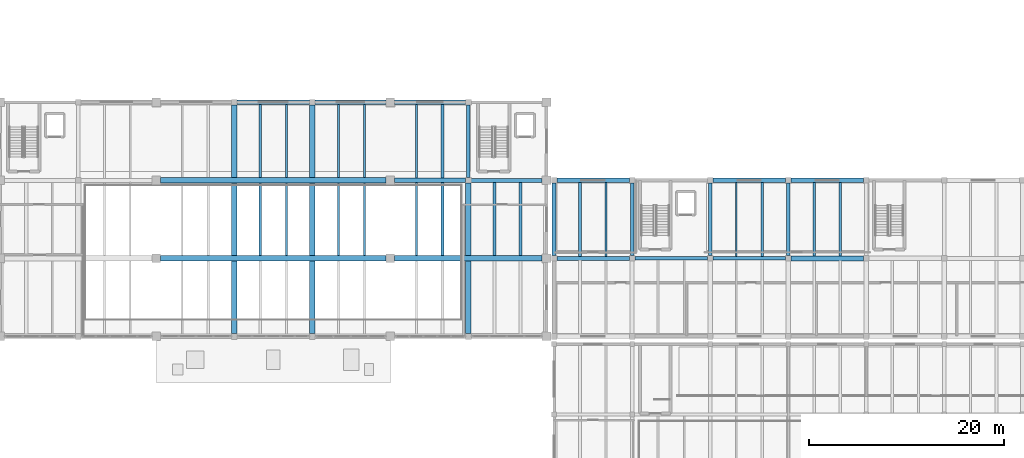
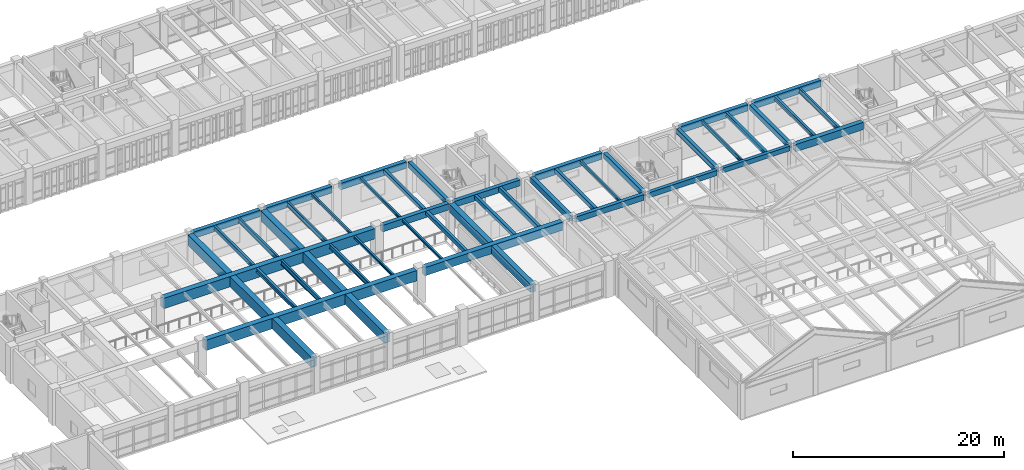
# One storey, part 15 of 67: 43 beams.
"""IFC4 building model written with IfcOpenShell, lengths in metres."""

from ifc_helpers import new_model, si_unit, direction, frame, origin, origin_2d, place, context, subcontext, project, spatial, rectangle, i_section, extrude, material, material_profile, profile_set, type_object, element, save


model = new_model("IFC4")

# Units and contexts
model_context = context("Model", 3, precision=1e-05, world=origin(), true_north=direction((0.0, 1.0)))
body_context = subcontext(model_context, "Body", "Model", "MODEL_VIEW")
ifc_project = project(units=[si_unit("LENGTHUNIT", "METRE"), si_unit("AREAUNIT", "SQUARE_METRE"), si_unit("VOLUMEUNIT", "CUBIC_METRE"), si_unit("PLANEANGLEUNIT", "RADIAN"), si_unit("MASSUNIT", "GRAM", prefix="KILO")], contexts=[model_context])

# Site, building, storey
site_placement = place(None, origin())
site = spatial("IfcSite", under=ifc_project, at=site_placement, CompositionType="ELEMENT")
building_placement = place(site_placement, origin())
building = spatial("IfcBuilding", under=site, at=building_placement, Name="Tlaxcora Railside Police Headquarters", CompositionType="ELEMENT")
storey_placement = place(building_placement, frame((0.0, 0.0, 4.800048828125)))
storey = spatial("IfcBuildingStorey", under=building, at=storey_placement, Name="L01", CompositionType="ELEMENT", Elevation=4.800048828125)

# Beams
ifc_material_1 = material(Name="Concrete C40/50", Category="concrete")
ifc_material_profile_1 = material_profile(ifc_material_1, rectangle(XDim=0.39990234375, YDim=0.64990234375, at=origin_2d()), Name="RC400X650")
ifc_profile_set_1 = profile_set([ifc_material_profile_1], Name="Concrete C40/50")
beam_type_1 = type_object("IfcBeamType", Name="Perimeter Spandrel Beam BM-46", PredefinedType="SPANDREL", material=ifc_profile_set_1)
beam_1_placement = place(storey_placement, frame((102.800048828125, 44.2900390625, 3.5849609375), z_axis=(0.0, 1.0, 0.0), x_axis=(-1.0, 0.0, 0.0)))
element("IfcBeam", 1, at=beam_1_placement, inside=storey, type_object=beam_type_1, Name="V7 L01 Y-girder X=102.8", PredefinedType="SPANDREL", context=body_context, shape_type="SweptSolid", body=[
    extrude(rectangle(XDim=0.39990234375, YDim=0.64990234375, at=origin_2d()), origin(), (0.0, 0.0, 1.0), 7.419921875),
])
ifc_material_profile_2 = material_profile(ifc_material_1, rectangle(XDim=0.449951171875, YDim=0.75, at=origin_2d()), Name="RC450X750")
ifc_profile_set_2 = profile_set([ifc_material_profile_2], Name="Concrete C40/50")
beam_type_2 = type_object("IfcBeamType", Name="Perimeter Spandrel Beam BM-86", PredefinedType="SPANDREL", material=ifc_profile_set_2)
beam_2_placement = place(storey_placement, frame((70.2900390625, 60.0, 3.534912109375), z_axis=(1.0, 0.0, 0.0), x_axis=(0.0, 1.0, 0.0)))
element("IfcBeam", 2, at=beam_2_placement, inside=storey, type_object=beam_type_2, Name="V1 L01 X-girder Y=60.0", PredefinedType="SPANDREL", context=body_context, shape_type="SweptSolid", body=[
    extrude(rectangle(XDim=0.449951171875, YDim=0.75, at=origin_2d()), origin(), (0.0, 0.0, 1.0), 7.419921875),
])
for number, where, z_axis, x_axis, name in (
    (3, (78.2900390625, 60.0, 3.534912109375), (1.0, 0.0, 0.0), (0.0, 1.0, 0.0), "V1 L01 X-girder Y=60.0"),
    (4, (86.43994140625, 60.0, 3.534912109375), (1.0, 0.0, 0.0), (0.0, 1.0, 0.0), "V1 L01 X-girder Y=60.0"),
):
    element("IfcBeam", number, at=place(storey_placement, frame(where, z_axis=z_axis, x_axis=x_axis)), inside=storey, type_object=beam_type_2, Name=name, PredefinedType="SPANDREL", context=body_context, shape_type="SweptSolid", body=[
        extrude(rectangle(XDim=0.449951171875, YDim=0.75, at=origin_2d()), origin(), (0.0, 0.0, 1.0), 7.27001953125),
    ])
for number, where, z_axis, x_axis, name in (
    (5, (103.090087890625, 52.0, 3.534912109375), (1.0, 0.0, 0.0), (0.0, 1.0, 0.0), "V7 L01 X-girder Y=52.0"),
    (6, (119.090087890625, 52.0, 3.534912109375), (1.0, 0.0, 0.0), (0.0, 1.0, 0.0), "V7 L01 X-girder Y=52.0"),
    (7, (127.090087890625, 52.0, 3.534912109375), (1.0, 0.0, 0.0), (0.0, 1.0, 0.0), "V7 L01 X-girder Y=52.0"),
):
    element("IfcBeam", number, at=place(storey_placement, frame(where, z_axis=z_axis, x_axis=x_axis)), inside=storey, type_object=beam_type_2, Name=name, PredefinedType="SPANDREL", context=body_context, shape_type="SweptSolid", body=[
        extrude(rectangle(XDim=0.449951171875, YDim=0.75, at=origin_2d()), origin(), (0.0, 0.0, 1.0), 7.419921875),
    ])
ifc_material_profile_3 = material_profile(ifc_material_1, rectangle(XDim=0.3798828125, YDim=0.60009765625, at=origin_2d()), Name="RC380X600")
ifc_profile_set_3 = profile_set([ifc_material_profile_3], Name="Concrete C40/50")
beam_type_3 = type_object("IfcBeamType", Name="Primary Frame Girder BM-22", PredefinedType="BEAM", material=ifc_profile_set_3)
for number, where, z_axis, x_axis, name in (
    (8, (94.0, 52.2900390625, 3.60986328125), (0.0, 1.0, 0.0), (-1.0, 0.0, 0.0), "V1 L01 Y-girder X=94.0"),
    (9, (111.090087890625, 44.0, 3.60986328125), (1.0, 0.0, 0.0), (0.0, 1.0, 0.0), "V7 L01 X-girder Y=44.0"),
    (10, (110.800048828125, 44.2900390625, 3.60986328125), (0.0, 1.0, 0.0), (-1.0, 0.0, 0.0), "V7 L01 Y-girder X=110.8"),
    (11, (118.800048828125, 44.2900390625, 3.60986328125), (0.0, 1.0, 0.0), (-1.0, 0.0, 0.0), "V7 L01 Y-girder X=118.8"),
    (12, (126.800048828125, 44.2900390625, 3.60986328125), (0.0, 1.0, 0.0), (-1.0, 0.0, 0.0), "V7 L01 Y-girder X=126.8"),
):
    element("IfcBeam", number, at=place(storey_placement, frame(where, z_axis=z_axis, x_axis=x_axis)), inside=storey, type_object=beam_type_3, Name=name, PredefinedType="BEAM", context=body_context, shape_type="SweptSolid", body=[
        extrude(rectangle(XDim=0.3798828125, YDim=0.60009765625, at=origin_2d()), origin(), (0.0, 0.0, 1.0), 7.419921875),
    ])
ifc_material_profile_4 = material_profile(ifc_material_1, rectangle(XDim=0.419921875, YDim=0.699951171875, at=origin_2d()), Name="RC420X700")
ifc_profile_set_4 = profile_set([ifc_material_profile_4], Name="Concrete C40/50")
beam_type_4 = type_object("IfcBeamType", Name="Primary Frame Girder BM-35", PredefinedType="BEAM", material=ifc_profile_set_4)
beam_3_placement = place(storey_placement, frame((94.2900390625, 52.0, 3.56005859375), z_axis=(1.0, 0.0, 0.0), x_axis=(0.0, 1.0, 0.0)))
element("IfcBeam", 13, at=beam_3_placement, inside=storey, type_object=beam_type_4, Name="V1 L01 X-girder Y=52.0", PredefinedType="BEAM", context=body_context, shape_type="SweptSolid", body=[
    extrude(rectangle(XDim=0.419921875, YDim=0.699951171875, at=origin_2d()), origin(), (0.0, 0.0, 1.0), 7.27001953125),
])
ifc_material_profile_5 = material_profile(ifc_material_1, rectangle(XDim=0.35009765625, YDim=0.550048828125, at=origin_2d()), Name="RC350X550")
ifc_profile_set_5 = profile_set([ifc_material_profile_5], Name="Concrete C40/50")
beam_type_5 = type_object("IfcBeamType", Name="Primary Frame Girder BM-39", PredefinedType="BEAM", material=ifc_profile_set_5)
beam_4_placement = place(storey_placement, frame((119.090087890625, 44.0, 3.635009765625), z_axis=(1.0, 0.0, 0.0), x_axis=(0.0, 1.0, 0.0)))
element("IfcBeam", 14, at=beam_4_placement, inside=storey, type_object=beam_type_5, Name="V7 L01 X-girder Y=44.0", PredefinedType="BEAM", context=body_context, shape_type="SweptSolid", body=[
    extrude(rectangle(XDim=0.35009765625, YDim=0.550048828125, at=origin_2d()), origin(), (0.0, 0.0, 1.0), 7.419921875),
])
ifc_material_profile_6 = material_profile(ifc_material_1, rectangle(XDim=0.39990234375, YDim=0.64990234375, at=origin_2d()), Name="RC400X650")
ifc_profile_set_6 = profile_set([ifc_material_profile_6], Name="Concrete C40/50")
beam_type_6 = type_object("IfcBeamType", Name="Primary Frame Girder BM-41", PredefinedType="BEAM", material=ifc_profile_set_6)
beam_5_placement = place(storey_placement, frame((103.090087890625, 44.0, 3.5849609375), z_axis=(1.0, 0.0, 0.0), x_axis=(0.0, 1.0, 0.0)))
element("IfcBeam", 15, at=beam_5_placement, inside=storey, type_object=beam_type_6, Name="V7 L01 X-girder Y=44.0", PredefinedType="BEAM", context=body_context, shape_type="SweptSolid", body=[
    extrude(rectangle(XDim=0.39990234375, YDim=0.64990234375, at=origin_2d()), origin(), (0.0, 0.0, 1.0), 7.419921875),
])
ifc_material_profile_7 = material_profile(ifc_material_1, rectangle(XDim=0.550048828125, YDim=0.949951171875, at=origin_2d()), Name="RC550X950")
ifc_profile_set_7 = profile_set([ifc_material_profile_7], Name="Concrete C40/50")
beam_type_7 = type_object("IfcBeamType", Name="Primary Frame Girder BM-43", PredefinedType="BEAM", material=ifc_profile_set_7)
beam_6_placement = place(storey_placement, frame((86.43994140625, 44.0, 3.43505859375), z_axis=(1.0, 0.0, 0.0), x_axis=(0.0, 1.0, 0.0)))
element("IfcBeam", 16, at=beam_6_placement, inside=storey, type_object=beam_type_7, Name="V1 L01 X-girder Y=44.0", PredefinedType="BEAM", context=body_context, shape_type="SweptSolid", body=[
    extrude(rectangle(XDim=0.550048828125, YDim=0.949951171875, at=origin_2d()), origin(), (0.0, 0.0, 1.0), 15.1201171875),
])
beam_7_placement = place(storey_placement, frame((94.0, 36.2900390625, 3.43505859375), z_axis=(0.0, 1.0, 0.0), x_axis=(-1.0, 0.0, 0.0)))
element("IfcBeam", 17, at=beam_7_placement, inside=storey, type_object=beam_type_7, Name="V1 L01 Y-girder X=94.0", PredefinedType="BEAM", context=body_context, shape_type="SweptSolid", body=[
    extrude(rectangle(XDim=0.550048828125, YDim=0.949951171875, at=origin_2d()), origin(), (0.0, 0.0, 1.0), 15.419921875),
])
ifc_material_profile_8 = material_profile(ifc_material_1, rectangle(XDim=0.5, YDim=0.85009765625, at=origin_2d()), Name="RC500X850")
ifc_profile_set_8 = profile_set([ifc_material_profile_8], Name="Concrete C40/50")
beam_type_8 = type_object("IfcBeamType", Name="Primary Frame Girder BM-64", PredefinedType="BEAM", material=ifc_profile_set_8)
beam_8_placement = place(storey_placement, frame((127.090087890625, 44.0, 3.48486328125), z_axis=(1.0, 0.0, 0.0), x_axis=(0.0, 1.0, 0.0)))
element("IfcBeam", 18, at=beam_8_placement, inside=storey, type_object=beam_type_8, Name="V7 L01 X-girder Y=44.0", PredefinedType="BEAM", context=body_context, shape_type="SweptSolid", body=[
    extrude(rectangle(XDim=0.5, YDim=0.85009765625, at=origin_2d()), origin(), (0.0, 0.0, 1.0), 7.419921875),
])
ifc_material_profile_9 = material_profile(ifc_material_1, rectangle(XDim=0.60009765625, YDim=1.199951171875, at=origin_2d()), Name="RC600X1200")
ifc_profile_set_9 = profile_set([ifc_material_profile_9], Name="Concrete C40/50")
beam_type_9 = type_object("IfcBeamType", Name="Primary Frame Girder BM-68", PredefinedType="BEAM", material=ifc_profile_set_9)
for number, where, z_axis, x_axis, name in (
    (19, (62.43994140625, 44.0, 3.31005859375), (1.0, 0.0, 0.0), (0.0, 1.0, 0.0), "V1 L01 X-girder Y=44.0"),
    (20, (62.43994140625, 52.0, 3.31005859375), (1.0, 0.0, 0.0), (0.0, 1.0, 0.0), "V1 L01 X-girder Y=52.0"),
):
    element("IfcBeam", number, at=place(storey_placement, frame(where, z_axis=z_axis, x_axis=x_axis)), inside=storey, type_object=beam_type_9, Name=name, PredefinedType="BEAM", context=body_context, shape_type="SweptSolid", body=[
        extrude(rectangle(XDim=0.60009765625, YDim=1.199951171875, at=origin_2d()), origin(), (0.0, 0.0, 1.0), 23.1201171875),
    ])
for number, where, z_axis, x_axis, name in (
    (21, (70.0, 36.2900390625, 3.31005859375), (0.0, 1.0, 0.0), (-1.0, 0.0, 0.0), "V1 L01 Y-girder X=70.0"),
    (22, (78.0, 36.2900390625, 3.31005859375), (0.0, 1.0, 0.0), (-1.0, 0.0, 0.0), "V1 L01 Y-girder X=78.0"),
):
    element("IfcBeam", number, at=place(storey_placement, frame(where, z_axis=z_axis, x_axis=x_axis)), inside=storey, type_object=beam_type_9, Name=name, PredefinedType="BEAM", context=body_context, shape_type="SweptSolid", body=[
        extrude(rectangle(XDim=0.60009765625, YDim=1.199951171875, at=origin_2d()), origin(), (0.0, 0.0, 1.0), 23.419921875),
    ])
ifc_material_profile_10 = material_profile(ifc_material_1, rectangle(XDim=0.449951171875, YDim=0.75, at=origin_2d()), Name="RC450X750")
ifc_profile_set_10 = profile_set([ifc_material_profile_10], Name="Concrete C40/50")
beam_type_10 = type_object("IfcBeamType", Name="Primary Frame Girder BM-73", PredefinedType="BEAM", material=ifc_profile_set_10)
beam_9_placement = place(storey_placement, frame((86.43994140625, 52.0, 3.534912109375), z_axis=(1.0, 0.0, 0.0), x_axis=(0.0, 1.0, 0.0)))
element("IfcBeam", 23, at=beam_9_placement, inside=storey, type_object=beam_type_10, Name="V1 L01 X-girder Y=52.0", PredefinedType="BEAM", context=body_context, shape_type="SweptSolid", body=[
    extrude(rectangle(XDim=0.449951171875, YDim=0.75, at=origin_2d()), origin(), (0.0, 0.0, 1.0), 7.27001953125),
])
ifc_material_2 = material(Name="Concrete C35/45", Category="concrete")
ifc_material_profile_11 = material_profile(ifc_material_2, rectangle(XDim=0.300048828125, YDim=0.449951171875, at=origin_2d()), Name="RC300X450")
ifc_profile_set_11 = profile_set([ifc_material_profile_11], Name="Concrete C35/45")
beam_type_11 = type_object("IfcBeamType", Name="Secondary Floor Joist BM-27", PredefinedType="JOIST", material=ifc_profile_set_11)
beam_10_placement = place(storey_placement, frame((91.333251953125, 44.26708984375, 3.68505859375), z_axis=(0.0, 1.0, 0.0), x_axis=(-1.0, 0.0, 0.0)))
element("IfcBeam", 24, at=beam_10_placement, inside=storey, type_object=beam_type_11, Name="V1 L01 floor joist X=91.33", PredefinedType="JOIST", context=body_context, shape_type="SweptSolid", body=[
    extrude(rectangle(XDim=0.300048828125, YDim=0.449951171875, at=origin_2d()), origin(), (0.0, 0.0, 1.0), 7.515869140625),
])
beam_11_placement = place(storey_placement, frame((96.666748046875, 44.26708984375, 3.68505859375), z_axis=(0.0, 1.0, 0.0), x_axis=(-1.0, 0.0, 0.0)))
element("IfcBeam", 25, at=beam_11_placement, inside=storey, type_object=beam_type_11, Name="V1 L01 floor joist X=96.67", PredefinedType="JOIST", context=body_context, shape_type="SweptSolid", body=[
    extrude(rectangle(XDim=0.300048828125, YDim=0.449951171875, at=origin_2d()), origin(), (0.0, 0.0, 1.0), 7.531005859375),
])
beam_12_placement = place(storey_placement, frame((91.333251953125, 52.217041015625, 3.68505859375), z_axis=(0.0, 1.0, 0.0), x_axis=(-1.0, 0.0, 0.0)))
element("IfcBeam", 26, at=beam_12_placement, inside=storey, type_object=beam_type_11, Name="V1 L01 floor joist X=91.33", PredefinedType="JOIST", context=body_context, shape_type="SweptSolid", body=[
    extrude(rectangle(XDim=0.300048828125, YDim=0.449951171875, at=origin_2d()), origin(), (0.0, 0.0, 1.0), 7.56591796875),
])
ifc_material_3 = material(Name="Steel ASTM A992 Grade 50", Category="steel")
ifc_material_profile_12 = material_profile(ifc_material_3, i_section(OverallWidth=0.280029296875, OverallDepth=0.4619140625, WebThickness=0.0107421875, FlangeThickness=0.017333984375, at=origin_2d()), Name="W18X76")
ifc_profile_set_12 = profile_set([ifc_material_profile_12], Name="Steel ASTM A992 Grade 50")
beam_type_12 = type_object("IfcBeamType", Name="Secondary Floor Joist BM-44", PredefinedType="JOIST", material=ifc_profile_set_12)
beam_13_placement = place(storey_placement, frame((72.666748046875, 44.2919921875, 3.678955078125), z_axis=(0.0, 1.0, 0.0), x_axis=(-1.0, 0.0, 0.0)))
element("IfcBeam", 27, at=beam_13_placement, inside=storey, type_object=beam_type_12, Name="V1 L01 floor joist X=72.67", PredefinedType="JOIST", context=body_context, shape_type="SweptSolid", body=[
    extrude(i_section(OverallWidth=0.280029296875, OverallDepth=0.4619140625, WebThickness=0.0107421875, FlangeThickness=0.017333984375, at=origin_2d()), origin(), (0.0, 0.0, 1.0), 7.416015625),
])
beam_14_placement = place(storey_placement, frame((72.666748046875, 52.2919921875, 3.678955078125), z_axis=(0.0, 1.0, 0.0), x_axis=(-1.0, 0.0, 0.0)))
element("IfcBeam", 28, at=beam_14_placement, inside=storey, type_object=beam_type_12, Name="V1 L01 floor joist X=72.67", PredefinedType="JOIST", context=body_context, shape_type="SweptSolid", body=[
    extrude(i_section(OverallWidth=0.280029296875, OverallDepth=0.4619140625, WebThickness=0.0107421875, FlangeThickness=0.017333984375, at=origin_2d()), origin(), (0.0, 0.0, 1.0), 7.490966796875),
])
beam_15_placement = place(storey_placement, frame((124.13330078125, 44.1669921875, 3.678955078125), z_axis=(0.0, 1.0, 0.0), x_axis=(-1.0, 0.0, 0.0)))
element("IfcBeam", 29, at=beam_15_placement, inside=storey, type_object=beam_type_12, Name="V7 L01 floor joist X=124.13", PredefinedType="JOIST", context=body_context, shape_type="SweptSolid", body=[
    extrude(i_section(OverallWidth=0.280029296875, OverallDepth=0.4619140625, WebThickness=0.0107421875, FlangeThickness=0.017333984375, at=origin_2d()), origin(), (0.0, 0.0, 1.0), 7.615966796875),
])
beam_16_placement = place(storey_placement, frame((129.466796875, 44.241943359375, 3.678955078125), z_axis=(0.0, 1.0, 0.0), x_axis=(-1.0, 0.0, 0.0)))
element("IfcBeam", 30, at=beam_16_placement, inside=storey, type_object=beam_type_12, Name="V7 L01 floor joist X=129.47", PredefinedType="JOIST", context=body_context, shape_type="SweptSolid", body=[
    extrude(i_section(OverallWidth=0.280029296875, OverallDepth=0.4619140625, WebThickness=0.0107421875, FlangeThickness=0.017333984375, at=origin_2d()), origin(), (0.0, 0.0, 1.0), 7.541015625),
])
ifc_material_profile_13 = material_profile(ifc_material_3, i_section(OverallWidth=0.2041015625, OverallDepth=0.35009765625, WebThickness=0.008544921875, FlangeThickness=0.01513671875, at=origin_2d()), Name="W14X48")
ifc_profile_set_13 = profile_set([ifc_material_profile_13], Name="Steel ASTM A992 Grade 50")
beam_type_13 = type_object("IfcBeamType", Name="Secondary Floor Joist BM-65", PredefinedType="JOIST", material=ifc_profile_set_13)
beam_17_placement = place(storey_placement, frame((108.13330078125, 44.19189453125, 3.73486328125), z_axis=(0.0, 1.0, 0.0), x_axis=(-1.0, 0.0, 0.0)))
element("IfcBeam", 31, at=beam_17_placement, inside=storey, type_object=beam_type_13, Name="V7 L01 floor joist X=108.13", PredefinedType="JOIST", context=body_context, shape_type="SweptSolid", body=[
    extrude(i_section(OverallWidth=0.2041015625, OverallDepth=0.35009765625, WebThickness=0.008544921875, FlangeThickness=0.01513671875, at=origin_2d()), origin(), (0.0, 0.0, 1.0), 7.591064453125),
])
ifc_material_profile_14 = material_profile(ifc_material_3, i_section(OverallWidth=0.180908203125, OverallDepth=0.4169921875, WebThickness=0.010009765625, FlangeThickness=0.018310546875, at=origin_2d()), Name="W16X57")
ifc_profile_set_14 = profile_set([ifc_material_profile_14], Name="Steel ASTM A992 Grade 50")
beam_type_14 = type_object("IfcBeamType", Name="Secondary Floor Joist BM-84", PredefinedType="JOIST", material=ifc_profile_set_14)
beam_18_placement = place(storey_placement, frame((121.466796875, 44.1669921875, 3.701416015625), z_axis=(0.0, 1.0, 0.0), x_axis=(-1.0, 0.0, 0.0)))
element("IfcBeam", 32, at=beam_18_placement, inside=storey, type_object=beam_type_14, Name="V7 L01 floor joist X=121.47", PredefinedType="JOIST", context=body_context, shape_type="SweptSolid", body=[
    extrude(i_section(OverallWidth=0.180908203125, OverallDepth=0.4169921875, WebThickness=0.010009765625, FlangeThickness=0.018310546875, at=origin_2d()), origin(), (0.0, 0.0, 1.0), 7.615966796875),
])
ifc_material_profile_15 = material_profile(ifc_material_2, rectangle(XDim=0.320068359375, YDim=0.5, at=origin_2d()), Name="RC320X500")
ifc_profile_set_15 = profile_set([ifc_material_profile_15], Name="Concrete C35/45")
beam_type_15 = type_object("IfcBeamType", Name="Secondary Floor Joist BM-88", PredefinedType="JOIST", material=ifc_profile_set_15)
beam_19_placement = place(storey_placement, frame((99.333251953125, 44.26708984375, 3.659912109375), z_axis=(0.0, 1.0, 0.0), x_axis=(-1.0, 0.0, 0.0)))
element("IfcBeam", 33, at=beam_19_placement, inside=storey, type_object=beam_type_15, Name="V1 L01 floor joist X=99.33", PredefinedType="JOIST", context=body_context, shape_type="SweptSolid", body=[
    extrude(rectangle(XDim=0.320068359375, YDim=0.5, at=origin_2d()), origin(), (0.0, 0.0, 1.0), 7.531005859375),
])
beam_20_placement = place(storey_placement, frame((105.466796875, 44.19189453125, 3.659912109375), z_axis=(0.0, 1.0, 0.0), x_axis=(-1.0, 0.0, 0.0)))
element("IfcBeam", 34, at=beam_20_placement, inside=storey, type_object=beam_type_15, Name="V7 L01 floor joist X=105.47", PredefinedType="JOIST", context=body_context, shape_type="SweptSolid", body=[
    extrude(rectangle(XDim=0.320068359375, YDim=0.5, at=origin_2d()), origin(), (0.0, 0.0, 1.0), 7.591064453125),
])
ifc_material_profile_16 = material_profile(ifc_material_3, i_section(OverallWidth=0.202880859375, OverallDepth=0.302978515625, WebThickness=0.007568359375, FlangeThickness=0.01318359375, at=origin_2d()), Name="W12X40")
ifc_profile_set_16 = profile_set([ifc_material_profile_16], Name="Steel ASTM A992 Grade 50")
beam_type_16 = type_object("IfcBeamType", Name="Secondary Floor Joist BM-96", PredefinedType="JOIST", material=ifc_profile_set_16)
beam_21_placement = place(storey_placement, frame((83.333251953125, 44.2919921875, 3.758544921875), z_axis=(0.0, 1.0, 0.0), x_axis=(-1.0, 0.0, 0.0)))
element("IfcBeam", 35, at=beam_21_placement, inside=storey, type_object=beam_type_16, Name="V1 L01 floor joist X=83.33", PredefinedType="JOIST", context=body_context, shape_type="SweptSolid", body=[
    extrude(i_section(OverallWidth=0.202880859375, OverallDepth=0.302978515625, WebThickness=0.007568359375, FlangeThickness=0.01318359375, at=origin_2d()), origin(), (0.0, 0.0, 1.0), 7.416015625),
])
beam_22_placement = place(storey_placement, frame((88.666748046875, 44.26708984375, 3.758544921875), z_axis=(0.0, 1.0, 0.0), x_axis=(-1.0, 0.0, 0.0)))
element("IfcBeam", 36, at=beam_22_placement, inside=storey, type_object=beam_type_16, Name="V1 L01 floor joist X=88.67", PredefinedType="JOIST", context=body_context, shape_type="SweptSolid", body=[
    extrude(i_section(OverallWidth=0.202880859375, OverallDepth=0.302978515625, WebThickness=0.007568359375, FlangeThickness=0.01318359375, at=origin_2d()), origin(), (0.0, 0.0, 1.0), 7.515869140625),
])
beam_23_placement = place(storey_placement, frame((83.333251953125, 52.2919921875, 3.758544921875), z_axis=(0.0, 1.0, 0.0), x_axis=(-1.0, 0.0, 0.0)))
element("IfcBeam", 37, at=beam_23_placement, inside=storey, type_object=beam_type_16, Name="V1 L01 floor joist X=83.33", PredefinedType="JOIST", context=body_context, shape_type="SweptSolid", body=[
    extrude(i_section(OverallWidth=0.202880859375, OverallDepth=0.302978515625, WebThickness=0.007568359375, FlangeThickness=0.01318359375, at=origin_2d()), origin(), (0.0, 0.0, 1.0), 7.490966796875),
])
beam_24_placement = place(storey_placement, frame((88.666748046875, 52.217041015625, 3.758544921875), z_axis=(0.0, 1.0, 0.0), x_axis=(-1.0, 0.0, 0.0)))
element("IfcBeam", 38, at=beam_24_placement, inside=storey, type_object=beam_type_16, Name="V1 L01 floor joist X=88.67", PredefinedType="JOIST", context=body_context, shape_type="SweptSolid", body=[
    extrude(i_section(OverallWidth=0.202880859375, OverallDepth=0.302978515625, WebThickness=0.007568359375, FlangeThickness=0.01318359375, at=origin_2d()), origin(), (0.0, 0.0, 1.0), 7.56591796875),
])
ifc_material_profile_17 = material_profile(ifc_material_3, i_section(OverallWidth=0.214111328125, OverallDepth=0.549072265625, WebThickness=0.0146484375, FlangeThickness=0.023681640625, at=origin_2d()), Name="W21X93")
ifc_profile_set_17 = profile_set([ifc_material_profile_17], Name="Steel ASTM A992 Grade 50")
beam_type_17 = type_object("IfcBeamType", Name="Secondary Floor Joist BM-97", PredefinedType="JOIST", material=ifc_profile_set_17)
for number, where, z_axis, x_axis, name in (
    (39, (75.333251953125, 44.2919921875, 3.635498046875), (0.0, 1.0, 0.0), (-1.0, 0.0, 0.0), "V1 L01 floor joist X=75.33"),
    (40, (80.666748046875, 44.2919921875, 3.635498046875), (0.0, 1.0, 0.0), (-1.0, 0.0, 0.0), "V1 L01 floor joist X=80.67"),
):
    element("IfcBeam", number, at=place(storey_placement, frame(where, z_axis=z_axis, x_axis=x_axis)), inside=storey, type_object=beam_type_17, Name=name, PredefinedType="JOIST", context=body_context, shape_type="SweptSolid", body=[
        extrude(i_section(OverallWidth=0.214111328125, OverallDepth=0.549072265625, WebThickness=0.0146484375, FlangeThickness=0.023681640625, at=origin_2d()), origin(), (0.0, 0.0, 1.0), 7.416015625),
    ])
for number, where, z_axis, x_axis, name in (
    (41, (75.333251953125, 52.2919921875, 3.635498046875), (0.0, 1.0, 0.0), (-1.0, 0.0, 0.0), "V1 L01 floor joist X=75.33"),
    (42, (80.666748046875, 52.2919921875, 3.635498046875), (0.0, 1.0, 0.0), (-1.0, 0.0, 0.0), "V1 L01 floor joist X=80.67"),
):
    element("IfcBeam", number, at=place(storey_placement, frame(where, z_axis=z_axis, x_axis=x_axis)), inside=storey, type_object=beam_type_17, Name=name, PredefinedType="JOIST", context=body_context, shape_type="SweptSolid", body=[
        extrude(i_section(OverallWidth=0.214111328125, OverallDepth=0.549072265625, WebThickness=0.0146484375, FlangeThickness=0.023681640625, at=origin_2d()), origin(), (0.0, 0.0, 1.0), 7.490966796875),
    ])
beam_25_placement = place(storey_placement, frame((132.13330078125, 44.241943359375, 3.635498046875), z_axis=(0.0, 1.0, 0.0), x_axis=(-1.0, 0.0, 0.0)))
element("IfcBeam", 43, at=beam_25_placement, inside=storey, type_object=beam_type_17, Name="V7 L01 floor joist X=132.13", PredefinedType="JOIST", context=body_context, shape_type="SweptSolid", body=[
    extrude(i_section(OverallWidth=0.214111328125, OverallDepth=0.549072265625, WebThickness=0.0146484375, FlangeThickness=0.023681640625, at=origin_2d()), origin(), (0.0, 0.0, 1.0), 7.541015625),
])

save(model, "model.ifc")
